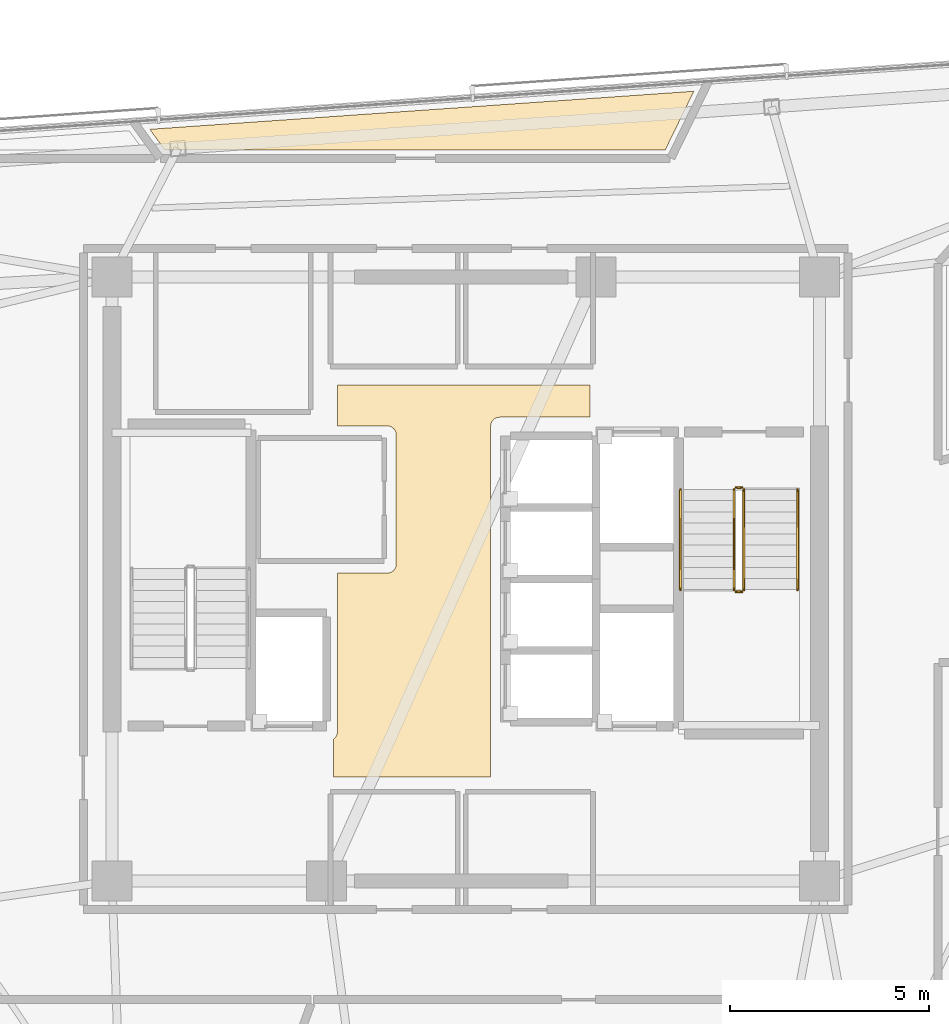
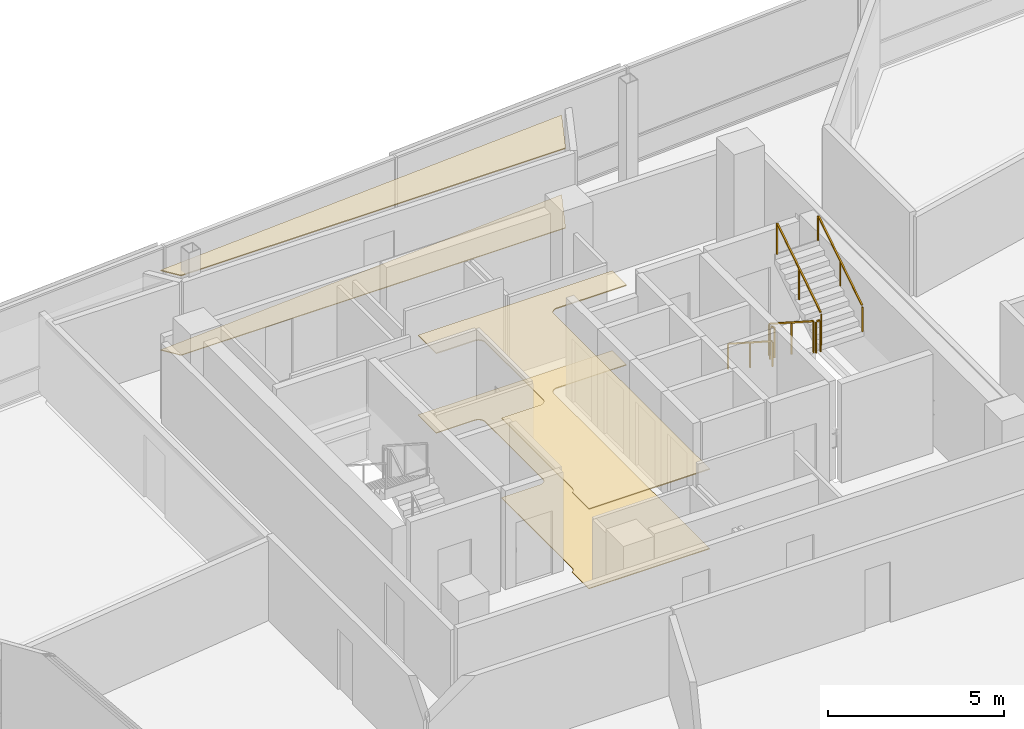
# One storey, part 15 of 16: 6 railings, 4 coverings.
"""IFC4 building model written with IfcOpenShell, lengths in metres."""

from ifc_helpers import new_model, si_unit, direction, frame, origin, origin_2d, place, context, subcontext, project, spatial, polyline, rectangle, outline, extrude, material, layer, layer_set, type_object, element, save


model = new_model("IFC4")

# Units and contexts
model_context = context("Model", 3, precision=1e-05, world=origin(), true_north=direction((0.0, 1.0)))
body_context = subcontext(model_context, "Body", "Model", "MODEL_VIEW")
ifc_project = project(units=[si_unit("LENGTHUNIT", "METRE"), si_unit("AREAUNIT", "SQUARE_METRE"), si_unit("VOLUMEUNIT", "CUBIC_METRE"), si_unit("PLANEANGLEUNIT", "RADIAN"), si_unit("MASSUNIT", "GRAM", prefix="KILO")], contexts=[model_context])

# Site, building, storey
site_placement = place(None, origin())
site = spatial("IfcSite", under=ifc_project, at=site_placement, CompositionType="ELEMENT")
building_placement = place(site_placement, origin())
building = spatial("IfcBuilding", under=site, at=building_placement, Name="Tharavind Bronze Gate", CompositionType="ELEMENT")
storey_placement = place(building_placement, frame((0.0, 0.0, 257.0)))
storey = spatial("IfcBuildingStorey", under=building, at=storey_placement, Name="L66", CompositionType="ELEMENT", Elevation=257.0)

# Coverings
ifc_material_1 = material(Name="Perforated Bronze Acoustic Panel", Category="bronze")
ifc_layer_1 = layer(ifc_material_1, 0.044921875)
ifc_layer_set_1 = layer_set([ifc_layer_1], Name="Perforated Bronze Acoustic Panel")
covering_type_1 = type_object("IfcCoveringType", Name="ACOUSTIC BRONZE BAFFLE CEILING", PredefinedType="CEILING", material=ifc_layer_set_1)
covering_1_placement = place(storey_placement, frame((0.0, 0.0, 2.75)))
element("IfcCovering", 1, at=covering_1_placement, inside=storey, type_object=covering_type_1, Name="L66-C-LL suspended ceiling", PredefinedType="CEILING", context=body_context, shape_type="SweptSolid", body=[
    extrude(outline(polyline([(-3.330078125, -4.97998046875), (0.6298828125, -4.97998046875), (0.6298828125, 3.85009765625), (0.631103515625, 3.87158203125), (0.63427734375, 3.892822265625), (0.639404296875, 3.913818359375), (0.646728515625, 3.93408203125), (0.656005859375, 3.95361328125), (0.6669921875, 3.97216796875), (0.679931640625, 3.989501953125), (0.6943359375, 4.005615234375), (0.71044921875, 4.02001953125), (0.727783203125, 4.032958984375), (0.746337890625, 4.0439453125), (0.765869140625, 4.05322265625), (0.7861328125, 4.060546875), (0.80712890625, 4.06591796875), (0.828369140625, 4.06884765625), (0.85009765625, 4.070068359375), (3.1298828125, 4.070068359375), (3.1298828125, 4.8798828125), (-3.22998046875, 4.8798828125), (-3.22998046875, 3.85009765625), (-1.969970703125, 3.85009765625), (-1.948486328125, 3.848876953125), (-1.927001953125, 3.845703125), (-1.906005859375, 3.840576171875), (-1.8857421875, 3.833251953125), (-1.8662109375, 3.823974609375), (-1.847900390625, 3.81298828125), (-1.830322265625, 3.800048828125), (-1.814453125, 3.78564453125), (-1.7998046875, 3.76953125), (-1.787109375, 3.752197265625), (-1.77587890625, 3.733642578125), (-1.7666015625, 3.714111328125), (-1.759521484375, 3.69384765625), (-1.754150390625, 3.6728515625), (-1.751220703125, 3.651611328125), (-1.75, 3.6298828125), (-1.75, 0.3701171875), (-1.751220703125, 0.348388671875), (-1.754150390625, 0.3271484375), (-1.759521484375, 0.30615234375), (-1.7666015625, 0.285888671875), (-1.77587890625, 0.266357421875), (-1.787109375, 0.247802734375), (-1.7998046875, 0.23046875), (-1.814453125, 0.21435546875), (-1.830322265625, 0.199951171875), (-1.847900390625, 0.18701171875), (-1.8662109375, 0.176025390625), (-1.8857421875, 0.166748046875), (-1.906005859375, 0.159423828125), (-1.927001953125, 0.154296875), (-1.948486328125, 0.151123046875), (-1.969970703125, 0.14990234375), (-3.22998046875, 0.14990234375), (-3.22998046875, -3.85009765625), (-3.231201171875, -3.87158203125), (-3.234130859375, -3.892822265625), (-3.239501953125, -3.913818359375), (-3.24658203125, -3.93408203125), (-3.256103515625, -3.95361328125), (-3.26708984375, -3.97216796875), (-3.27978515625, -3.989501953125), (-3.29443359375, -4.005615234375), (-3.310302734375, -4.02001953125), (-3.327880859375, -4.032958984375), (-3.330078125, -4.0341796875), (-3.330078125, -4.97998046875)])), origin(), (0.0, 0.0, 1.0), 0.034912109375),
])
ifc_material_2 = material(Name="Engineered Oak & Carpet Tile", Category="wood")
ifc_layer_2 = layer(ifc_material_2, 0.02490234375)
ifc_layer_set_2 = layer_set([ifc_layer_2], Name="Engineered Oak & Carpet Tile")
covering_type_2 = type_object("IfcCoveringType", Name="ENGINEERED TIMBER FLOORING", PredefinedType="FLOORING", material=ifc_layer_set_2)
covering_2_placement = place(storey_placement, origin())
element("IfcCovering", 2, at=covering_2_placement, inside=storey, type_object=covering_type_2, Name="L66-RM-02 floor finish", PredefinedType="FLOORING", context=body_context, shape_type="SweptSolid", body=[
    extrude(outline(polyline([(-7.57470703125, 10.800048828125), (5.022705078125, 10.800048828125), (5.74072265625, 12.272216796875), (-7.94873046875, 11.314697265625), (-7.57470703125, 10.800048828125)])), origin(), (0.0, 0.0, 1.0), 0.02490234375),
])
ifc_material_3 = material(Name="Acoustic Gypsum Board", Category="gypsum")
ifc_layer_3 = layer(ifc_material_3, 0.030029296875)
ifc_layer_set_3 = layer_set([ifc_layer_3], Name="Acoustic Gypsum Board")
covering_type_3 = type_object("IfcCoveringType", Name="GYPSUM SUSPENDED CEILING", PredefinedType="CEILING", material=ifc_layer_set_3)
covering_3_placement = place(storey_placement, frame((0.0, 0.0, 2.75)))
element("IfcCovering", 3, at=covering_3_placement, inside=storey, type_object=covering_type_3, Name="L66-RM-02 suspended ceiling", PredefinedType="CEILING", context=body_context, shape_type="SweptSolid", body=[
    extrude(outline(polyline([(-7.57470703125, 10.800048828125), (5.022705078125, 10.800048828125), (5.74072265625, 12.272216796875), (-7.94873046875, 11.314697265625), (-7.57470703125, 10.800048828125)])), origin(), (0.0, 0.0, 1.0), 0.034912109375),
])
ifc_material_4 = material(Name="Honed Travertine Limestone", Category="masonry")
ifc_layer_4 = layer(ifc_material_4, 0.030029296875)
ifc_layer_set_4 = layer_set([ifc_layer_4], Name="Honed Travertine Limestone")
covering_type_4 = type_object("IfcCoveringType", Name="HONED LIMESTONE FLOORING", PredefinedType="FLOORING", material=ifc_layer_set_4)
covering_4_placement = place(storey_placement, origin())
element("IfcCovering", 4, at=covering_4_placement, inside=storey, type_object=covering_type_4, Name="L66-C-LL floor finish", PredefinedType="FLOORING", context=body_context, shape_type="SweptSolid", body=[
    extrude(outline(polyline([(-3.330078125, -4.97998046875), (0.6298828125, -4.97998046875), (0.6298828125, 3.85009765625), (0.631103515625, 3.87158203125), (0.63427734375, 3.892822265625), (0.639404296875, 3.913818359375), (0.646728515625, 3.93408203125), (0.656005859375, 3.95361328125), (0.6669921875, 3.97216796875), (0.679931640625, 3.989501953125), (0.6943359375, 4.005615234375), (0.71044921875, 4.02001953125), (0.727783203125, 4.032958984375), (0.746337890625, 4.0439453125), (0.765869140625, 4.05322265625), (0.7861328125, 4.060546875), (0.80712890625, 4.06591796875), (0.828369140625, 4.06884765625), (0.85009765625, 4.070068359375), (3.1298828125, 4.070068359375), (3.1298828125, 4.8798828125), (-3.22998046875, 4.8798828125), (-3.22998046875, 3.85009765625), (-1.969970703125, 3.85009765625), (-1.948486328125, 3.848876953125), (-1.927001953125, 3.845703125), (-1.906005859375, 3.840576171875), (-1.8857421875, 3.833251953125), (-1.8662109375, 3.823974609375), (-1.847900390625, 3.81298828125), (-1.830322265625, 3.800048828125), (-1.814453125, 3.78564453125), (-1.7998046875, 3.76953125), (-1.787109375, 3.752197265625), (-1.77587890625, 3.733642578125), (-1.7666015625, 3.714111328125), (-1.759521484375, 3.69384765625), (-1.754150390625, 3.6728515625), (-1.751220703125, 3.651611328125), (-1.75, 3.6298828125), (-1.75, 0.3701171875), (-1.751220703125, 0.348388671875), (-1.754150390625, 0.3271484375), (-1.759521484375, 0.30615234375), (-1.7666015625, 0.285888671875), (-1.77587890625, 0.266357421875), (-1.787109375, 0.247802734375), (-1.7998046875, 0.23046875), (-1.814453125, 0.21435546875), (-1.830322265625, 0.199951171875), (-1.847900390625, 0.18701171875), (-1.8662109375, 0.176025390625), (-1.8857421875, 0.166748046875), (-1.906005859375, 0.159423828125), (-1.927001953125, 0.154296875), (-1.948486328125, 0.151123046875), (-1.969970703125, 0.14990234375), (-3.22998046875, 0.14990234375), (-3.22998046875, -3.85009765625), (-3.231201171875, -3.87158203125), (-3.234130859375, -3.892822265625), (-3.239501953125, -3.913818359375), (-3.24658203125, -3.93408203125), (-3.256103515625, -3.95361328125), (-3.26708984375, -3.97216796875), (-3.27978515625, -3.989501953125), (-3.29443359375, -4.005615234375), (-3.310302734375, -4.02001953125), (-3.327880859375, -4.032958984375), (-3.330078125, -4.0341796875), (-3.330078125, -4.97998046875)])), origin(), (0.0, 0.0, 1.0), 0.02490234375),
])

# Railings
ifc_material_5 = material(Name="Brushed Bronze Alloy", Category="metal")
railing_type_1 = type_object("IfcRailingType", Name="STAIR BRONZE HANDRAIL 900", PredefinedType="HANDRAIL", material=ifc_material_5)
railing_1_placement = place(storey_placement, frame((5.39990234375, 2.25, 0.179931640625)))
element("IfcRailing", 5, at=railing_1_placement, inside=storey, type_object=railing_type_1, Name="L66 ST2 stair handrail 1", PredefinedType="HANDRAIL", context=body_context, shape_type="SweptSolid", body=[
    extrude(rectangle(XDim=0.048095703125, YDim=0.048095703125, at=origin_2d()), frame((0.0, -0.02685546875, 0.89306640625), z_axis=(0.0, -0.841162588446, 0.540782303519), x_axis=(1.0, 0.0, 0.0)), (0.0, 0.0, 1.0), 2.931884765625),
    extrude(rectangle(XDim=0.0400390625, YDim=0.0400390625, at=origin_2d()), origin(), (0.0, 0.0, 1.0), 0.847900390625),
    extrude(rectangle(XDim=0.0400390625, YDim=0.0400390625, at=origin_2d()), frame((0.0, -1.260009765625, 0.81005859375)), (0.0, 0.0, 1.0), 0.847900390625),
    extrude(rectangle(XDim=0.0400390625, YDim=0.0400390625, at=origin_2d()), frame((0.0, -2.52001953125, 1.6201171875)), (0.0, 0.0, 1.0), 0.847900390625),
])
railing_2_placement = place(storey_placement, frame((8.35009765625, -0.27001953125, 1.97998046875)))
element("IfcRailing", 6, at=railing_2_placement, inside=storey, type_object=railing_type_1, Name="L66 ST2 stair handrail 2", PredefinedType="HANDRAIL", context=body_context, shape_type="SweptSolid", body=[
    extrude(rectangle(XDim=0.048095703125, YDim=0.048095703125, at=origin_2d()), frame((0.0, 0.02685546875, 0.89306640625), z_axis=(0.0, 0.841162588446, 0.540782303519), x_axis=(-1.0, 0.0, 0.0)), (0.0, 0.0, 1.0), 2.931884765625),
    extrude(rectangle(XDim=0.0400390625, YDim=0.0400390625, at=origin_2d()), origin(), (0.0, 0.0, 1.0), 0.847900390625),
    extrude(rectangle(XDim=0.0400390625, YDim=0.0400390625, at=origin_2d()), frame((0.0, 1.260009765625, 0.81005859375)), (0.0, 0.0, 1.0), 0.847900390625),
    extrude(rectangle(XDim=0.0400390625, YDim=0.0400390625, at=origin_2d()), frame((0.0, 2.52001953125, 1.6201171875)), (0.0, 0.0, 1.0), 0.847900390625),
])
railing_type_2 = type_object("IfcRailingType", Name="STAIR WELL GUARD RAILING 1120", PredefinedType="GUARDRAIL", material=ifc_material_5)
railing_3_placement = place(storey_placement, frame((6.75, 2.25, 0.179931640625)))
element("IfcRailing", 7, at=railing_3_placement, inside=storey, type_object=railing_type_2, Name="L66 ST2 stair guard 1", PredefinedType="GUARDRAIL", context=body_context, shape_type="SweptSolid", body=[
    extrude(rectangle(XDim=0.048095703125, YDim=0.048095703125, at=origin_2d()), frame((0.0, -0.02685546875, 1.11328125), z_axis=(0.0, -0.841162588446, 0.540782303519), x_axis=(1.0, 0.0, 0.0)), (0.0, 0.0, 1.0), 2.931884765625),
    extrude(rectangle(XDim=0.0400390625, YDim=0.0400390625, at=origin_2d()), origin(), (0.0, 0.0, 1.0), 1.068115234375),
    extrude(rectangle(XDim=0.0400390625, YDim=0.0400390625, at=origin_2d()), frame((0.0, -1.260009765625, 0.81005859375)), (0.0, 0.0, 1.0), 1.068115234375),
    extrude(rectangle(XDim=0.0400390625, YDim=0.0400390625, at=origin_2d()), frame((0.0, -2.52001953125, 1.6201171875)), (0.0, 0.0, 1.0), 1.068115234375),
])
railing_4_placement = place(storey_placement, frame((6.800048828125, -0.320068359375, 1.800048828125)))
element("IfcRailing", 8, at=railing_4_placement, inside=storey, type_object=railing_type_2, Name="L66 ST2 stair guard 2", PredefinedType="GUARDRAIL", context=body_context, shape_type="SweptSolid", body=[
    extrude(rectangle(XDim=0.048095703125, YDim=0.048095703125, at=origin_2d()), frame((0.031982421875, 0.0, 1.09619140625), z_axis=(1.0, 0.0, 0.0), x_axis=(0.0, 1.0, 0.0)), (0.0, 0.0, 1.0), 0.0859375),
    extrude(rectangle(XDim=0.0400390625, YDim=0.0400390625, at=origin_2d()), origin(), (0.0, 0.0, 1.0), 1.068115234375),
    extrude(rectangle(XDim=0.0400390625, YDim=0.0400390625, at=origin_2d()), frame((0.14990234375, 0.0, 0.0)), (0.0, 0.0, 1.0), 1.068115234375),
])
railing_5_placement = place(storey_placement, frame((7.0, -0.27001953125, 1.97998046875)))
element("IfcRailing", 9, at=railing_5_placement, inside=storey, type_object=railing_type_2, Name="L66 ST2 stair guard 3", PredefinedType="GUARDRAIL", context=body_context, shape_type="SweptSolid", body=[
    extrude(rectangle(XDim=0.048095703125, YDim=0.048095703125, at=origin_2d()), frame((0.0, 0.02685546875, 1.11328125), z_axis=(0.0, 0.841162588446, 0.540782303519), x_axis=(-1.0, 0.0, 0.0)), (0.0, 0.0, 1.0), 2.931884765625),
    extrude(rectangle(XDim=0.0400390625, YDim=0.0400390625, at=origin_2d()), origin(), (0.0, 0.0, 1.0), 1.068115234375),
    extrude(rectangle(XDim=0.0400390625, YDim=0.0400390625, at=origin_2d()), frame((0.0, 1.260009765625, 0.81005859375)), (0.0, 0.0, 1.0), 1.068115234375),
    extrude(rectangle(XDim=0.0400390625, YDim=0.0400390625, at=origin_2d()), frame((0.0, 2.52001953125, 1.6201171875)), (0.0, 0.0, 1.0), 1.068115234375),
])
railing_6_placement = place(storey_placement, frame((6.800048828125, 2.300048828125, 0.0)))
element("IfcRailing", 10, at=railing_6_placement, inside=storey, type_object=railing_type_2, Name="L66 ST2 stair guard 4", PredefinedType="GUARDRAIL", context=body_context, shape_type="SweptSolid", body=[
    extrude(rectangle(XDim=0.048095703125, YDim=0.048095703125, at=origin_2d()), frame((0.031982421875, 0.0, 1.09619140625), z_axis=(1.0, 0.0, 0.0), x_axis=(0.0, 1.0, 0.0)), (0.0, 0.0, 1.0), 0.0859375),
    extrude(rectangle(XDim=0.0400390625, YDim=0.0400390625, at=origin_2d()), origin(), (0.0, 0.0, 1.0), 1.068115234375),
    extrude(rectangle(XDim=0.0400390625, YDim=0.0400390625, at=origin_2d()), frame((0.14990234375, 0.0, 0.0)), (0.0, 0.0, 1.0), 1.068115234375),
])

save(model, "model.ifc")
